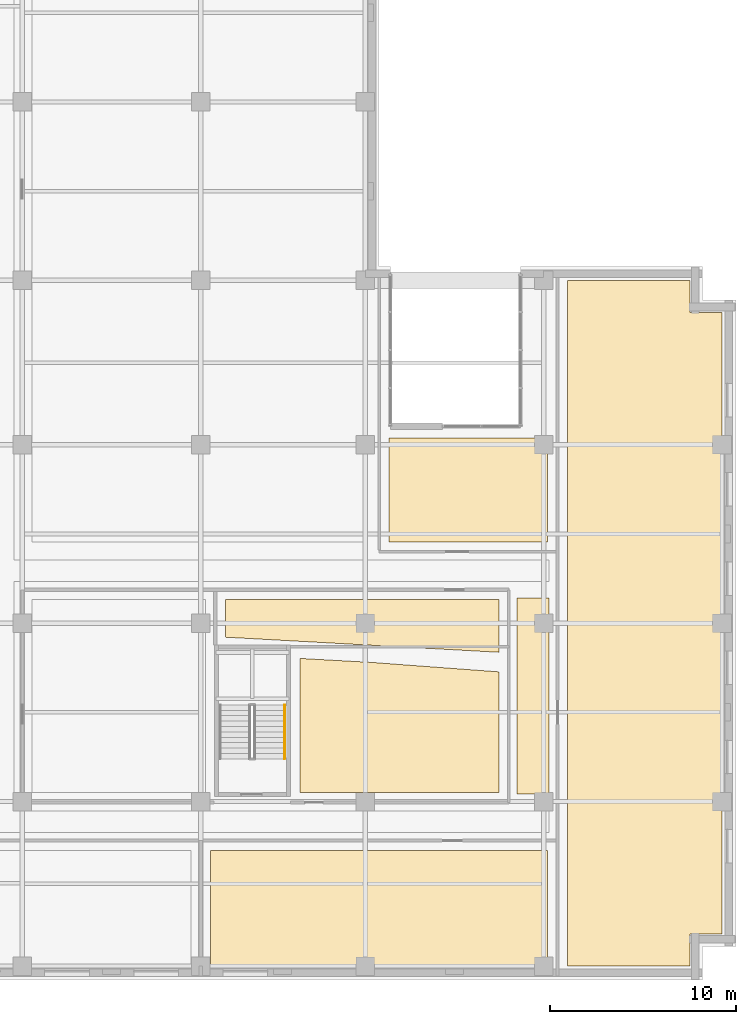
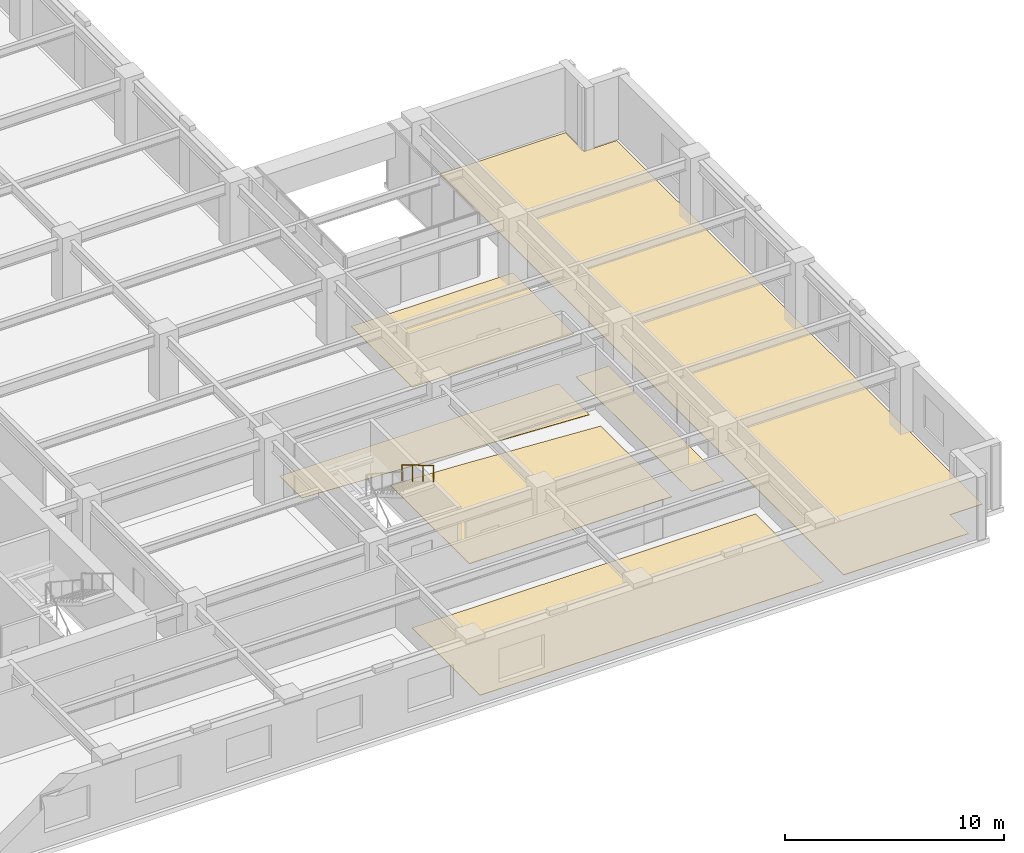
# One storey, part 11 of 14: 6 coverings, 1 railing.
"""IFC4 building model written with IfcOpenShell, lengths in metres."""

from ifc_helpers import new_model, si_unit, direction, frame, origin, origin_2d, place, context, subcontext, project, spatial, polyline, circle, outline, extrude, material, layer, layer_set, type_object, element, save


model = new_model("IFC4")

# Units and contexts
model_context = context("Model", 3, precision=1e-05, world=origin(), true_north=direction((0.0, 1.0)))
body_context = subcontext(model_context, "Body", "Model", "MODEL_VIEW")
ifc_project = project(units=[si_unit("LENGTHUNIT", "METRE"), si_unit("AREAUNIT", "SQUARE_METRE"), si_unit("VOLUMEUNIT", "CUBIC_METRE"), si_unit("PLANEANGLEUNIT", "RADIAN"), si_unit("MASSUNIT", "GRAM", prefix="KILO")], contexts=[model_context])

# Site, building, storey
site_placement = place(None, origin())
site = spatial("IfcSite", under=ifc_project, at=site_placement, CompositionType="ELEMENT")
building_placement = place(site_placement, origin())
building = spatial("IfcBuilding", under=site, at=building_placement, Name="Norrvale University Quadrangle", CompositionType="ELEMENT")
storey_placement = place(building_placement, frame((0.0, 0.0, 116.60009765625)))
storey = spatial("IfcBuildingStorey", under=building, at=storey_placement, Name="L29", CompositionType="ELEMENT", Elevation=116.60009765625)

# Coverings
ifc_material_1 = material(Name="Polished Terrazzo Flooring")
ifc_layer = layer(ifc_material_1, 0.02490234375, Name="Polished Terrazzo Flooring")
ifc_layer_set = layer_set([ifc_layer], Name="Polished Terrazzo Flooring")
covering_type = type_object("IfcCoveringType", Name="Covering Terrazzo Floor 30", PredefinedType="FLOORING", material=ifc_layer_set)
covering_1_placement = place(storey_placement, origin())
element("IfcCovering", 1, at=covering_1_placement, inside=storey, type_object=covering_type, Name="Terrazzo Flooring RM-L29-CORR2", PredefinedType="FLOORING", context=body_context, shape_type="SweptSolid", body=[
    extrude(outline(polyline([(45.824951171875, 10.0), (45.824951171875, 20.550048828125), (47.550048828125, 20.550048828125), (47.550048828125, 10.0), (45.824951171875, 10.0)])), origin(), (0.0, 0.0, 1.0), 0.02490234375),
])
covering_2_placement = place(storey_placement, origin())
element("IfcCovering", 2, at=covering_2_placement, inside=storey, type_object=covering_type, Name="Terrazzo Flooring RM-L29-S02", PredefinedType="FLOORING", context=body_context, shape_type="SweptSolid", body=[
    extrude(outline(polyline([(47.469970703125, 6.969970703125), (47.469970703125, 0.75), (29.330078125, 0.75), (29.330078125, 6.969970703125), (47.469970703125, 6.969970703125)])), origin(), (0.0, 0.0, 1.0), 0.02490234375),
])
covering_3_placement = place(storey_placement, origin())
element("IfcCovering", 3, at=covering_3_placement, inside=storey, type_object=covering_type, Name="Terrazzo Flooring RM-L29-E01", PredefinedType="FLOORING", context=body_context, shape_type="SweptSolid", body=[
    extrude(outline(polyline([(48.530029296875, 37.64990234375), (55.1298828125, 37.64990234375), (55.1298828125, 35.929931640625), (56.85009765625, 35.929931640625), (56.85009765625, 2.469970703125), (55.1298828125, 2.469970703125), (55.1298828125, 0.75), (48.530029296875, 0.75), (48.530029296875, 37.64990234375)])), origin(), (0.0, 0.0, 1.0), 0.02490234375),
])
covering_4_placement = place(storey_placement, origin())
element("IfcCovering", 4, at=covering_4_placement, inside=storey, type_object=covering_type, Name="Terrazzo Flooring RM-L29-ILH", PredefinedType="FLOORING", context=body_context, shape_type="SweptSolid", body=[
    extrude(outline(polyline([(30.1298828125, 18.446044921875), (30.1298828125, 20.469970703125), (44.844970703125, 20.469970703125), (44.844970703125, 17.635009765625), (30.1298828125, 18.446044921875)])), origin(), (0.0, 0.0, 1.0), 0.02490234375),
])
covering_5_placement = place(storey_placement, origin())
element("IfcCovering", 5, at=covering_5_placement, inside=storey, type_object=covering_type, Name="Terrazzo Flooring RM-L29-ISE", PredefinedType="FLOORING", context=body_context, shape_type="SweptSolid", body=[
    extrude(outline(polyline([(44.844970703125, 16.58203125), (44.844970703125, 10.080078125), (34.14990234375, 10.080078125), (34.14990234375, 17.303955078125), (37.93603515625, 17.094970703125), (44.844970703125, 16.58203125)])), origin(), (0.0, 0.0, 1.0), 0.02490234375),
])
covering_6_placement = place(storey_placement, origin())
element("IfcCovering", 6, at=covering_6_placement, inside=storey, type_object=covering_type, Name="Terrazzo Flooring RM-L29-SGLNG", PredefinedType="FLOORING", context=body_context, shape_type="SweptSolid", body=[
    extrude(outline(polyline([(38.929931640625, 23.580078125), (38.929931640625, 29.169921875), (47.469970703125, 29.169921875), (47.469970703125, 23.580078125), (38.929931640625, 23.580078125)])), origin(), (0.0, 0.0, 1.0), 0.02490234375),
])

# Railing
ifc_material_2 = material(Name="Stainless Steel 316L Handrail", Category="steel")
railing_type = type_object("IfcRailingType", Name="Railing Stair Handrail 920", PredefinedType="HANDRAIL", material=ifc_material_2)
railing_placement = place(storey_placement, frame((33.31005859375, 14.800048828125, 2.072509765625)))
element("IfcRailing", 7, at=railing_placement, inside=storey, type_object=railing_type, Name="Stair Upper Flight Handrail ST-04 L29", PredefinedType="HANDRAIL", context=body_context, shape_type="SweptSolid", body=[
    extrude(circle(Radius=0.02392578125, at=origin_2d()), frame((0.0, 0.0, 0.89599609375), z_axis=(0.0, -0.859160404282, 0.51170636083), x_axis=(1.0, 0.0, 0.0)), (0.0, 0.0, 1.0), 3.37548828125),
    extrude(circle(Radius=0.02099609375, at=origin_2d()), origin(), (0.0, 0.0, 1.0), 0.871826171875),
    extrude(circle(Radius=0.02099609375, at=origin_2d()), frame((0.0, -0.966796875, 0.57568359375)), (0.0, 0.0, 1.0), 0.871826171875),
    extrude(circle(Radius=0.02099609375, at=origin_2d()), frame((0.0, -1.933349609375, 1.151611328125)), (0.0, 0.0, 1.0), 0.871826171875),
    extrude(circle(Radius=0.02099609375, at=origin_2d()), frame((0.0, -2.900146484375, 1.727294921875)), (0.0, 0.0, 1.0), 0.871826171875),
])

save(model, "model.ifc")
